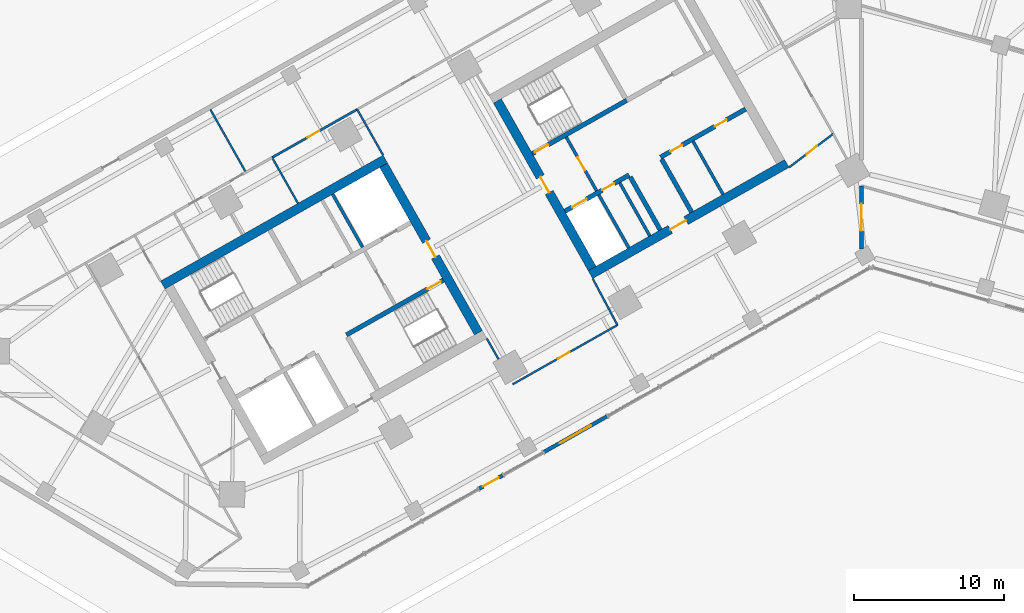
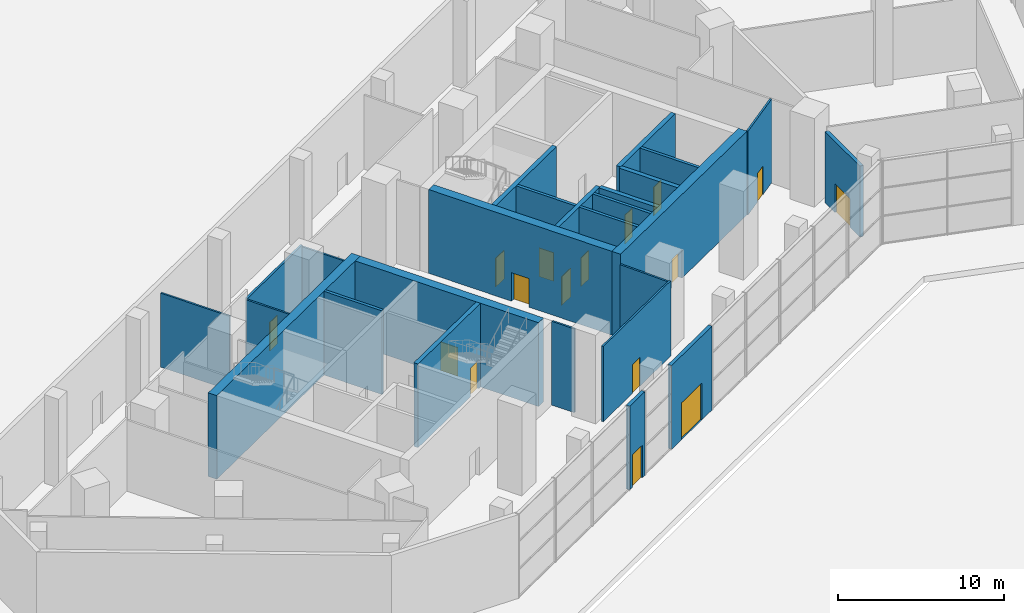
# One storey, part 13 of 22: 26 walls, 16 doors, 16 openings.
"""IFC4 building model written with IfcOpenShell, lengths in metres."""

from ifc_helpers import new_model, si_unit, direction, frame, frame_2d, origin, place, context, subcontext, project, spatial, rectangle, extrude, material, layer, layer_set, type_object, element, fill, save


model = new_model("IFC4")

# Units and contexts
model_context = context("Model", 3, precision=1e-05, world=origin(), true_north=direction((0.0, 1.0)))
body_context = subcontext(model_context, "Body", "Model", "MODEL_VIEW")
ifc_project = project(units=[si_unit("LENGTHUNIT", "METRE"), si_unit("AREAUNIT", "SQUARE_METRE"), si_unit("VOLUMEUNIT", "CUBIC_METRE"), si_unit("PLANEANGLEUNIT", "RADIAN"), si_unit("MASSUNIT", "GRAM", prefix="KILO")], contexts=[model_context])

# Site, building, storey
site_placement = place(None, origin())
site = spatial("IfcSite", under=ifc_project, at=site_placement, CompositionType="ELEMENT")
building_placement = place(site_placement, origin())
building = spatial("IfcBuilding", under=site, at=building_placement, Name="Binnacle Exchange Tower", CompositionType="ELEMENT")
storey_placement = place(building_placement, origin())
storey = spatial("IfcBuildingStorey", under=building, at=storey_placement, Name="L00", CompositionType="ELEMENT", Elevation=0.0)

# Wall
ifc_material_1 = material(Name="Gypsum partition fire rated")
ifc_layer_1 = layer(ifc_material_1, 0.199951171875)
ifc_layer_set_1 = layer_set([ifc_layer_1], Name="Core partition 200")
wall_type_1 = type_object("IfcWallType", Name="Core partition 200", PredefinedType="PARTITIONING", material=ifc_layer_set_1)
wall_1_placement = place(storey_placement, frame((-11.201904296875, 50.96240234375, 0.0), z_axis=(0.0, 0.0, 1.0), x_axis=(0.49241474071, -0.870360685654, 0.0)))
element("IfcWall", 1, at=wall_1_placement, inside=storey, type_object=wall_type_1, Name="Core wall CRWC19", PredefinedType="PARTITIONING", context=body_context, shape_type="SweptSolid", body=[
    extrude(rectangle(XDim=4.05029296875, YDim=0.199951171875, at=frame_2d((2.025146484375, 0.0))), origin(), (0.0, 0.0, 1.0), 6.14990234375),
])

# Wall, openings, doors
ifc_material_2 = material(Name="Concrete C70/85", Category="concrete")
ifc_layer_2 = layer(ifc_material_2, 0.300048828125)
ifc_layer_set_2 = layer_set([ifc_layer_2], Name="Core wall - front 300")
wall_type_2 = type_object("IfcWallType", Name="Core wall - front 300", PredefinedType="SOLIDWALL", material=ifc_layer_set_2)
wall_2_placement = place(storey_placement, frame((-19.718017578125, 46.31640625, 0.0), z_axis=(0.0, 0.0, 1.0), x_axis=(0.870353963862, 0.492426621528, 0.0)))
wall_2 = element("IfcWall", 2, at=wall_2_placement, inside=storey, type_object=wall_type_2, Name="Core wall CRWC2", PredefinedType="SOLIDWALL", context=body_context, shape_type="SweptSolid", body=[
    extrude(rectangle(XDim=4.89990234375, YDim=0.300048828125, at=frame_2d((2.449951171875, 0.0))), origin(), (0.0, 0.0, 1.0), 6.14990234375),
])
opening_1_placement = place(wall_2_placement, frame((0.550048828125, 0.0, 0.0)))
opening_1 = element("IfcOpeningElement", 3, at=opening_1_placement, cuts=wall_2, Name="Opening LD14", PredefinedType="OPENING", context=body_context, shape_type="SweptSolid", body=[
    extrude(rectangle(XDim=1.10009765625, YDim=2.10009765625, at=frame_2d((0.550048828125, 1.050048828125))), frame((0.0, 0.159912109375, 0.0), z_axis=(0.0, -1.0, 0.0), x_axis=(1.0, 0.0, 0.0)), (0.0, 0.0, 1.0), 0.320068359375),
])
opening_2_placement = place(wall_2_placement, frame((2.85009765625, 0.0, 0.0)))
opening_2 = element("IfcOpeningElement", 4, at=opening_2_placement, cuts=wall_2, Name="Opening DC14", PredefinedType="OPENING", context=body_context, shape_type="SweptSolid", body=[
    extrude(rectangle(XDim=0.89990234375, YDim=2.10009765625, at=frame_2d((0.449951171875, 1.050048828125))), frame((0.0, 0.159912109375, 0.0), z_axis=(0.0, -1.0, 0.0), x_axis=(1.0, 0.0, 0.0)), (0.0, 0.0, 1.0), 0.320068359375),
])
ifc_material_3 = material(Name="Steel door leaf", Category="steel")
door_type_1 = type_object("IfcDoorType", Name="Fire door - lift landing 1100", OperationType="NOTDEFINED", PredefinedType="DOOR", material=ifc_material_3)
door_1_placement = place(opening_1_placement, origin())
door_1 = element("IfcDoor", 5, at=door_1_placement, inside=storey, type_object=door_type_1, Name="Landing door LD14 L00", OperationType="DOUBLE_DOOR_SLIDING", OverallHeight=2.10009765625, OverallWidth=1.10009765625, PredefinedType="DOOR", context=body_context, shape_type="SweptSolid", body=[
    extrude(rectangle(XDim=1.10009765625, YDim=2.10009765625, at=frame_2d((0.550048828125, 1.050048828125))), frame((0.0, 0.02490234375, 0.0), z_axis=(0.0, -1.0, 0.0), x_axis=(1.0, 0.0, 0.0)), (0.0, 0.0, 1.0), 0.050048828125),
])
fill(opening_1, door_1)
door_type_2 = type_object("IfcDoorType", Name="Fire door 900", OperationType="NOTDEFINED", PredefinedType="DOOR", material=ifc_material_3)
door_2_placement = place(opening_2_placement, frame((0.89990234375, 0.0, 0.0), z_axis=(0.0, 0.0, 1.0), x_axis=(-1.0, 0.0, 0.0)))
door_2 = element("IfcDoor", 6, at=door_2_placement, inside=storey, type_object=door_type_2, Name="Core room door CLEANERS STORE", OperationType="SINGLE_SWING_LEFT", OverallHeight=2.10009765625, OverallWidth=0.89990234375, PredefinedType="DOOR", context=body_context, shape_type="SweptSolid", body=[
    extrude(rectangle(XDim=0.89990234375, YDim=2.10009765625, at=frame_2d((0.449951171875, 1.050048828125))), frame((0.0, 0.02490234375, 0.0), z_axis=(0.0, -1.0, 0.0), x_axis=(1.0, 0.0, 0.0)), (0.0, 0.0, 1.0), 0.050048828125),
])
fill(opening_2, door_2)

wall_3_placement = place(storey_placement, frame((-13.364501953125, 49.910888671875, 0.0), z_axis=(0.0, 0.0, 1.0), x_axis=(0.870340995471, 0.49244954219, 0.0)))
wall_3 = element("IfcWall", 7, at=wall_3_placement, inside=storey, type_object=wall_type_2, Name="Core wall CRWC3", PredefinedType="SOLIDWALL", context=body_context, shape_type="SweptSolid", body=[
    extrude(rectangle(XDim=6.5, YDim=0.300048828125, at=frame_2d((3.25, 0.0))), origin(), (0.0, 0.0, 1.0), 6.14990234375),
])
opening_3_placement = place(wall_3_placement, frame((0.75, 0.0, 0.0)))
opening_3 = element("IfcOpeningElement", 8, at=opening_3_placement, cuts=wall_3, Name="Opening DC18", PredefinedType="OPENING", context=body_context, shape_type="SweptSolid", body=[
    extrude(rectangle(XDim=0.89990234375, YDim=2.10009765625, at=frame_2d((0.449951171875, 1.050048828125))), frame((0.0, 0.159912109375, 0.0), z_axis=(0.0, -1.0, 0.0), x_axis=(1.0, 0.0, 0.0)), (0.0, 0.0, 1.0), 0.320068359375),
])
opening_4_placement = place(wall_3_placement, frame((4.14990234375, 0.0, 0.0)))
opening_4 = element("IfcOpeningElement", 9, at=opening_4_placement, cuts=wall_3, Name="Opening DC19", PredefinedType="OPENING", context=body_context, shape_type="SweptSolid", body=[
    extrude(rectangle(XDim=0.89990234375, YDim=2.10009765625, at=frame_2d((0.449951171875, 1.050048828125))), frame((0.0, 0.159912109375, 0.0), z_axis=(0.0, -1.0, 0.0), x_axis=(1.0, 0.0, 0.0)), (0.0, 0.0, 1.0), 0.320068359375),
])
door_3_placement = place(opening_3_placement, frame((0.89990234375, 0.0, 0.0), z_axis=(0.0, 0.0, 1.0), x_axis=(-1.0, 0.0, 0.0)))
door_3 = element("IfcDoor", 10, at=door_3_placement, inside=storey, type_object=door_type_2, Name="Core room door IT STORE", OperationType="SINGLE_SWING_RIGHT", OverallHeight=2.10009765625, OverallWidth=0.89990234375, PredefinedType="DOOR", context=body_context, shape_type="SweptSolid", body=[
    extrude(rectangle(XDim=0.89990234375, YDim=2.10009765625, at=frame_2d((0.449951171875, 1.050048828125))), frame((0.0, 0.02490234375, 0.0), z_axis=(0.0, -1.0, 0.0), x_axis=(1.0, 0.0, 0.0)), (0.0, 0.0, 1.0), 0.050048828125),
])
fill(opening_3, door_3)
door_4_placement = place(opening_4_placement, frame((0.89990234375, 0.0, 0.0), z_axis=(0.0, 0.0, 1.0), x_axis=(-1.0, 0.0, 0.0)))
door_4 = element("IfcDoor", 11, at=door_4_placement, inside=storey, type_object=door_type_2, Name="Core room door TELECOM RISER ROOM", OperationType="SINGLE_SWING_LEFT", OverallHeight=2.10009765625, OverallWidth=0.89990234375, PredefinedType="DOOR", context=body_context, shape_type="SweptSolid", body=[
    extrude(rectangle(XDim=0.89990234375, YDim=2.10009765625, at=frame_2d((0.449951171875, 1.050048828125))), frame((0.0, 0.02490234375, 0.0), z_axis=(0.0, -1.0, 0.0), x_axis=(1.0, 0.0, 0.0)), (0.0, 0.0, 1.0), 0.050048828125),
])
fill(opening_4, door_4)

# Walls
for number, where, z_axis, x_axis, name in (
    (12, (-15.37939453125, 48.5986328125, 0.0), (0.0, 0.0, 1.0), (0.492394910396, -0.870371904542, 0.0), "Core wall CRWC13"),
    (13, (-13.29052734375, 49.780517578125, 0.0), (0.0, 0.0, 1.0), (0.492394910396, -0.870371904542, 0.0), "Core wall CRWC15"),
):
    element("IfcWall", number, at=place(storey_placement, frame(where, z_axis=z_axis, x_axis=x_axis)), inside=storey, type_object=wall_type_2, Name=name, PredefinedType="SOLIDWALL", context=body_context, shape_type="SweptSolid", body=[
        extrude(rectangle(XDim=4.0498046875, YDim=0.300048828125, at=frame_2d((2.02490234375, 0.0))), origin(), (0.0, 0.0, 1.0), 6.14990234375),
    ])
ifc_layer_3 = layer(ifc_material_2, 0.60009765625)
ifc_layer_set_3 = layer_set([ifc_layer_3], Name="Core wall - outer 600")
wall_type_3 = type_object("IfcWallType", Name="Core wall - outer 600", PredefinedType="SOLIDWALL", material=ifc_layer_set_3)
wall_4_placement = place(storey_placement, frame((-46.460693359375, 41.41162109375, 0.0), z_axis=(0.0, 0.0, 1.0), x_axis=(0.870350116061, 0.492433422375, 0.0)))
element("IfcWall", 14, at=wall_4_placement, inside=storey, type_object=wall_type_3, Name="Core wall CRWA6", PredefinedType="SOLIDWALL", context=body_context, shape_type="SweptSolid", body=[
    extrude(rectangle(XDim=17.0, YDim=0.60009765625, at=frame_2d((8.5, 0.0))), origin(), (0.0, 0.0, 1.0), 6.14990234375),
])

# Wall, opening, door
wall_5_placement = place(storey_placement, frame((-31.7783203125, 49.3740234375, 0.0), z_axis=(0.0, 0.0, 1.0), x_axis=(0.492433046652, -0.870350328641, 0.0)))
wall_5 = element("IfcWall", 15, at=wall_5_placement, inside=storey, type_object=wall_type_3, Name="Core wall CRWA22", PredefinedType="SOLIDWALL", context=body_context, shape_type="SweptSolid", body=[
    extrude(rectangle(XDim=12.800048828125, YDim=0.60009765625, at=frame_2d((6.39990234375, 0.0))), origin(), (0.0, 0.0, 1.0), 6.14990234375),
])
opening_5_placement = place(wall_5_placement, frame((5.800048828125, 0.0, 0.0)))
opening_5 = element("IfcOpeningElement", 16, at=opening_5_placement, cuts=wall_5, Name="Opening DA6", PredefinedType="OPENING", context=body_context, shape_type="SweptSolid", body=[
    extrude(rectangle(XDim=1.199951171875, YDim=2.10009765625, at=frame_2d((0.60009765625, 1.050048828125))), frame((0.0, 0.31005859375, 0.0), z_axis=(0.0, -1.0, 0.0), x_axis=(1.0, 0.0, 0.0)), (0.0, 0.0, 1.0), 0.6201171875),
])
door_type_3 = type_object("IfcDoorType", Name="Fire door 1200", OperationType="NOTDEFINED", PredefinedType="DOOR", material=ifc_material_3)
door_5_placement = place(opening_5_placement, origin())
door_5 = element("IfcDoor", 17, at=door_5_placement, inside=storey, type_object=door_type_3, Name="Vestibule exit door VEST-E", OperationType="SINGLE_SWING_RIGHT", OverallHeight=2.10009765625, OverallWidth=1.199951171875, PredefinedType="DOOR", context=body_context, shape_type="SweptSolid", body=[
    extrude(rectangle(XDim=1.199951171875, YDim=2.10009765625, at=frame_2d((0.60009765625, 1.050048828125))), frame((0.0, 0.02490234375, 0.0), z_axis=(0.0, -1.0, 0.0), x_axis=(1.0, 0.0, 0.0)), (0.0, 0.0, 1.0), 0.050048828125),
])
fill(opening_5, door_5)

wall_6_placement = place(storey_placement, frame((-18.0244140625, 42.104248046875, 0.0), z_axis=(0.0, 0.0, 1.0), x_axis=(0.870360574057, 0.492414937962, 0.0)))
wall_6 = element("IfcWall", 18, at=wall_6_placement, inside=storey, type_object=wall_type_3, Name="Core wall CRWC1", PredefinedType="SOLIDWALL", context=body_context, shape_type="SweptSolid", body=[
    extrude(rectangle(XDim=15.0, YDim=0.60009765625, at=frame_2d((7.5, 0.0))), origin(), (0.0, 0.0, 1.0), 6.14990234375),
])
opening_6_placement = place(wall_6_placement, frame((6.10009765625, 0.0, 0.0)))
opening_6 = element("IfcOpeningElement", 19, at=opening_6_placement, cuts=wall_6, Name="Opening DC7", PredefinedType="OPENING", context=body_context, shape_type="SweptSolid", body=[
    extrude(rectangle(XDim=1.199951171875, YDim=2.10009765625, at=frame_2d((0.60009765625, 1.050048828125))), frame((0.0, 0.31005859375, 0.0), z_axis=(0.0, -1.0, 0.0), x_axis=(1.0, 0.0, 0.0)), (0.0, 0.0, 1.0), 0.6201171875),
])
door_6_placement = place(opening_6_placement, frame((1.199951171875, 0.0, 0.0), z_axis=(0.0, 0.0, 1.0), x_axis=(-1.0, 0.0, 0.0)))
door_6 = element("IfcDoor", 20, at=door_6_placement, inside=storey, type_object=door_type_3, Name="Lift lobby entrance door core C", OperationType="SINGLE_SWING_RIGHT", OverallHeight=2.10009765625, OverallWidth=1.199951171875, PredefinedType="DOOR", context=body_context, shape_type="SweptSolid", body=[
    extrude(rectangle(XDim=1.199951171875, YDim=2.10009765625, at=frame_2d((0.60009765625, 1.050048828125))), frame((0.0, 0.02490234375, 0.0), z_axis=(0.0, -1.0, 0.0), x_axis=(1.0, 0.0, 0.0)), (0.0, 0.0, 1.0), 0.050048828125),
])
fill(opening_6, door_6)

wall_7_placement = place(storey_placement, frame((-24.214111328125, 53.653564453125, 0.0), z_axis=(0.0, 0.0, 1.0), x_axis=(0.492441221355, -0.870345703448, 0.0)))
wall_7 = element("IfcWall", 21, at=wall_7_placement, inside=storey, type_object=wall_type_3, Name="Core wall CRWC7", PredefinedType="SOLIDWALL", context=body_context, shape_type="SweptSolid", body=[
    extrude(rectangle(XDim=12.800048828125, YDim=0.60009765625, at=frame_2d((6.39990234375, 0.0))), origin(), (0.0, 0.0, 1.0), 6.14990234375),
])
opening_7_placement = place(wall_7_placement, frame((5.800048828125, 0.0, 0.0)))
opening_7 = element("IfcOpeningElement", 22, at=opening_7_placement, cuts=wall_7, Name="Opening DC5", PredefinedType="OPENING", context=body_context, shape_type="SweptSolid", body=[
    extrude(rectangle(XDim=1.199951171875, YDim=2.10009765625, at=frame_2d((0.60009765625, 1.050048828125))), frame((0.0, 0.31005859375, 0.0), z_axis=(0.0, -1.0, 0.0), x_axis=(1.0, 0.0, 0.0)), (0.0, 0.0, 1.0), 0.6201171875),
])
door_7_placement = place(opening_7_placement, frame((1.199951171875, 0.0, 0.0), z_axis=(0.0, 0.0, 1.0), x_axis=(-1.0, 0.0, 0.0)))
door_7 = element("IfcDoor", 23, at=door_7_placement, inside=storey, type_object=door_type_3, Name="Vestibule exit door VEST-W", OperationType="SINGLE_SWING_LEFT", OverallHeight=2.10009765625, OverallWidth=1.199951171875, PredefinedType="DOOR", context=body_context, shape_type="SweptSolid", body=[
    extrude(rectangle(XDim=1.199951171875, YDim=2.10009765625, at=frame_2d((0.60009765625, 1.050048828125))), frame((0.0, 0.02490234375, 0.0), z_axis=(0.0, -1.0, 0.0), x_axis=(1.0, 0.0, 0.0)), (0.0, 0.0, 1.0), 0.050048828125),
])
fill(opening_7, door_7)

ifc_layer_4 = layer(ifc_material_2, 0.300048828125)
ifc_layer_set_4 = layer_set([ifc_layer_4], Name="Core wall - stair 300")
wall_type_4 = type_object("IfcWallType", Name="Core wall - stair 300", PredefinedType="SOLIDWALL", material=ifc_layer_set_4)
wall_8_placement = place(storey_placement, frame((-34.2451171875, 38.097412109375, 0.0), z_axis=(0.0, 0.0, 1.0), x_axis=(0.870364910201, 0.492407273597, 0.0)))
wall_8 = element("IfcWall", 24, at=wall_8_placement, inside=storey, type_object=wall_type_4, Name="Core wall CRWA3", PredefinedType="SOLIDWALL", context=body_context, shape_type="SweptSolid", body=[
    extrude(rectangle(XDim=7.39990234375, YDim=0.300048828125, at=frame_2d((3.699951171875, 0.0))), origin(), (0.0, 0.0, 1.0), 6.14990234375),
])
opening_8_placement = place(wall_8_placement, frame((6.199951171875, 0.0, 0.0)))
opening_8 = element("IfcOpeningElement", 25, at=opening_8_placement, cuts=wall_8, Name="Opening DA2", PredefinedType="OPENING", context=body_context, shape_type="SweptSolid", body=[
    extrude(rectangle(XDim=1.0, YDim=2.10009765625, at=frame_2d((0.5, 1.050048828125))), frame((0.0, 0.159912109375, 0.0), z_axis=(0.0, -1.0, 0.0), x_axis=(1.0, 0.0, 0.0)), (0.0, 0.0, 1.0), 0.320068359375),
])
door_type_4 = type_object("IfcDoorType", Name="Fire door 1000", OperationType="NOTDEFINED", PredefinedType="DOOR", material=ifc_material_3)
door_8_placement = place(opening_8_placement, frame((1.0, 0.0, 0.0), z_axis=(0.0, 0.0, 1.0), x_axis=(-1.0, 0.0, 0.0)))
door_8 = element("IfcDoor", 26, at=door_8_placement, inside=storey, type_object=door_type_4, Name="Stair door ST-A2", OperationType="SINGLE_SWING_LEFT", OverallHeight=2.10009765625, OverallWidth=1.0, PredefinedType="DOOR", context=body_context, shape_type="SweptSolid", body=[
    extrude(rectangle(XDim=1.0, YDim=2.10009765625, at=frame_2d((0.5, 1.050048828125))), frame((0.0, 0.02490234375, 0.0), z_axis=(0.0, -1.0, 0.0), x_axis=(1.0, 0.0, 0.0)), (0.0, 0.0, 1.0), 0.050048828125),
])
fill(opening_8, door_8)

wall_9_placement = place(storey_placement, frame((-21.884765625, 50.14599609375, 0.0), z_axis=(0.0, 0.0, 1.0), x_axis=(0.870359411463, 0.492416992881, 0.0)))
wall_9 = element("IfcWall", 27, at=wall_9_placement, inside=storey, type_object=wall_type_4, Name="Core wall CRWC4", PredefinedType="SOLIDWALL", context=body_context, shape_type="SweptSolid", body=[
    extrude(rectangle(XDim=7.199951171875, YDim=0.300048828125, at=frame_2d((3.60009765625, 0.0))), origin(), (0.0, 0.0, 1.0), 6.14990234375),
])
opening_9_placement = place(wall_9_placement, frame((0.199951171875, 0.0, 0.0)))
opening_9 = element("IfcOpeningElement", 28, at=opening_9_placement, cuts=wall_9, Name="Opening DC1", PredefinedType="OPENING", context=body_context, shape_type="SweptSolid", body=[
    extrude(rectangle(XDim=1.0, YDim=2.10009765625, at=frame_2d((0.5, 1.050048828125))), frame((0.0, 0.159912109375, 0.0), z_axis=(0.0, -1.0, 0.0), x_axis=(1.0, 0.0, 0.0)), (0.0, 0.0, 1.0), 0.320068359375),
])
door_9_placement = place(opening_9_placement, origin())
door_9 = element("IfcDoor", 29, at=door_9_placement, inside=storey, type_object=door_type_4, Name="Stair door ST-C1", OperationType="SINGLE_SWING_LEFT", OverallHeight=2.10009765625, OverallWidth=1.0, PredefinedType="DOOR", context=body_context, shape_type="SweptSolid", body=[
    extrude(rectangle(XDim=1.0, YDim=2.10009765625, at=frame_2d((0.5, 1.050048828125))), frame((0.0, 0.02490234375, 0.0), z_axis=(0.0, -1.0, 0.0), x_axis=(1.0, 0.0, 0.0)), (0.0, 0.0, 1.0), 0.050048828125),
])
fill(opening_9, door_9)

ifc_material_4 = material(Name="Bronze aluminium cladding", Category="aluminium")
ifc_layer_5 = layer(ifc_material_4, 0.25)
ifc_layer_set_5 = layer_set([ifc_layer_5], Name="External wall - entrance portal 250")
wall_type_5 = type_object("IfcWallType", Name="External wall - entrance portal 250", PredefinedType="STANDARD", material=ifc_layer_set_5)
wall_10_placement = place(storey_placement, frame((-23.857666015625, 28.757080078125, 0.0), z_axis=(0.0, 0.0, 1.0), x_axis=(-0.870388475779, -0.492365617434, 0.0)))
wall_10 = element("IfcWall", 30, at=wall_10_placement, inside=storey, type_object=wall_type_5, Name="External wall EW-P06P1 portal", PredefinedType="STANDARD", context=body_context, shape_type="SweptSolid", body=[
    extrude(rectangle(XDim=1.800048828125, YDim=0.25, at=frame_2d((0.89990234375, 0.0))), origin(), (0.0, 0.0, 1.0), 6.14990234375),
])
opening_10_placement = place(wall_10_placement, frame((0.300048828125, 0.0, 0.0)))
opening_10 = element("IfcOpeningElement", 31, at=opening_10_placement, cuts=wall_10, Name="Opening D-FS01-05", PredefinedType="OPENING", context=body_context, shape_type="SweptSolid", body=[
    extrude(rectangle(XDim=1.199951171875, YDim=2.39990234375, at=frame_2d((0.60009765625, 1.199951171875))), frame((0.0, 0.135009765625, 0.0), z_axis=(0.0, -1.0, 0.0), x_axis=(1.0, 0.0, 0.0)), (0.0, 0.0, 1.0), 0.27001953125),
])
ifc_material_5 = material(Name="Bronze anodised aluminium frame", Category="aluminium")
door_type_5 = type_object("IfcDoorType", Name="DS DOOR 1200x2400", OperationType="SINGLE_SWING_LEFT", PredefinedType="DOOR", material=ifc_material_5)
door_10_placement = place(opening_10_placement, origin())
door_10 = element("IfcDoor", 32, at=door_10_placement, inside=storey, type_object=door_type_5, Name="Door D-FS01-05 L00", OperationType="SINGLE_SWING_RIGHT", OverallHeight=2.39990234375, OverallWidth=1.199951171875, PredefinedType="DOOR", context=body_context, shape_type="SweptSolid", body=[
    extrude(rectangle(XDim=1.199951171875, YDim=2.39990234375, at=frame_2d((0.60009765625, 1.199951171875))), frame((0.0, 0.02490234375, 0.0), z_axis=(0.0, -1.0, 0.0), x_axis=(1.0, 0.0, 0.0)), (0.0, 0.0, 1.0), 0.050048828125),
])
fill(opening_10, door_10)

wall_11_placement = place(storey_placement, frame((-16.934814453125, 32.674072265625, 0.0), z_axis=(0.0, 0.0, 1.0), x_axis=(-0.870332544133, -0.49246447854, 0.0)))
wall_11 = element("IfcWall", 33, at=wall_11_placement, inside=storey, type_object=wall_type_5, Name="External wall EW-P06P2 portal", PredefinedType="STANDARD", context=body_context, shape_type="SweptSolid", body=[
    extrude(rectangle(XDim=4.7998046875, YDim=0.25, at=frame_2d((2.39990234375, 0.0))), origin(), (0.0, 0.0, 1.0), 6.14990234375),
])
opening_11_placement = place(wall_11_placement, frame((1.199951171875, 0.0, 0.0)))
opening_11 = element("IfcOpeningElement", 34, at=opening_11_placement, cuts=wall_11, Name="Opening D-FS01-06", PredefinedType="OPENING", context=body_context, shape_type="SweptSolid", body=[
    extrude(rectangle(XDim=2.39990234375, YDim=2.699951171875, at=frame_2d((1.199951171875, 1.35009765625))), frame((0.0, 0.135009765625, 0.0), z_axis=(0.0, -1.0, 0.0), x_axis=(1.0, 0.0, 0.0)), (0.0, 0.0, 1.0), 0.27001953125),
])
door_type_6 = type_object("IfcDoorType", Name="DE DOOR 2400x2700", OperationType="DOUBLE_DOOR_SINGLE_SWING", PredefinedType="DOOR", material=ifc_material_5)
door_11_placement = place(opening_11_placement, origin())
door_11 = element("IfcDoor", 35, at=door_11_placement, inside=storey, type_object=door_type_6, Name="Door D-FS01-06 L00", OperationType="DOUBLE_DOOR_SINGLE_SWING", OverallHeight=2.699951171875, OverallWidth=2.39990234375, PredefinedType="DOOR", context=body_context, shape_type="SweptSolid", body=[
    extrude(rectangle(XDim=2.39990234375, YDim=2.699951171875, at=frame_2d((1.199951171875, 1.35009765625))), frame((0.0, 0.02490234375, 0.0), z_axis=(0.0, -1.0, 0.0), x_axis=(1.0, 0.0, 0.0)), (0.0, 0.0, 1.0), 0.050048828125),
])
fill(opening_11, door_11)

ifc_material_6 = material(Name="Concrete fire wall C30/37", Category="concrete")
ifc_layer_6 = layer(ifc_material_6, 0.25)
ifc_layer_set_6 = layer_set([ifc_layer_6], Name="Fire wall - compartment 250")
wall_type_6 = type_object("IfcWallType", Name="Fire wall - compartment 250", PredefinedType="PARTITIONING", material=ifc_layer_set_6)
wall_12_placement = place(storey_placement, frame((0.0, 43.805908203125, 0.0), z_axis=(0.0, 0.0, 1.0), x_axis=(0.0, 1.0, 0.0)))
wall_12 = element("IfcWall", 36, at=wall_12_placement, inside=storey, type_object=wall_type_6, Name="Fire Wall W39", PredefinedType="PARTITIONING", context=body_context, shape_type="SweptSolid", body=[
    extrude(rectangle(XDim=4.194091796875, YDim=0.25, at=frame_2d((2.09716796875, 0.0))), origin(), (0.0, 0.0, 1.0), 5.2119140625),
])
opening_12_placement = place(wall_12_placement, frame((1.199951171875, 0.0, 0.0)))
opening_12 = element("IfcOpeningElement", 37, at=opening_12_placement, cuts=wall_12, Name="Opening DL00-32", PredefinedType="OPENING", context=body_context, shape_type="SweptSolid", body=[
    extrude(rectangle(XDim=1.800048828125, YDim=2.10009765625, at=frame_2d((0.89990234375, 1.050048828125))), frame((0.0, 0.135009765625, 0.0), z_axis=(0.0, -1.0, 0.0), x_axis=(1.0, 0.0, 0.0)), (0.0, 0.0, 1.0), 0.27001953125),
])
door_type_7 = type_object("IfcDoorType", Name="Fire door 1800", OperationType="NOTDEFINED", PredefinedType="DOOR", material=ifc_material_3)
door_12_placement = place(opening_12_placement, origin())
door_12 = element("IfcDoor", 38, at=door_12_placement, inside=storey, type_object=door_type_7, Name="Door DL00-32", OperationType="DOUBLE_DOOR_SINGLE_SWING", OverallHeight=2.10009765625, OverallWidth=1.800048828125, PredefinedType="DOOR", context=body_context, shape_type="SweptSolid", body=[
    extrude(rectangle(XDim=1.800048828125, YDim=2.10009765625, at=frame_2d((0.89990234375, 1.050048828125))), frame((0.0, 0.02490234375, 0.0), z_axis=(0.0, -1.0, 0.0), x_axis=(1.0, 0.0, 0.0)), (0.0, 0.0, 1.0), 0.050048828125),
])
fill(opening_12, door_12)

ifc_material_7 = material(Name="Masonry block wall", Category="masonry")
ifc_layer_7 = layer(ifc_material_7, 0.199951171875)
ifc_layer_set_7 = layer_set([ifc_layer_7], Name="Fire wall - vestibule 200")
wall_type_7 = type_object("IfcWallType", Name="Fire wall - vestibule 200", PredefinedType="PARTITIONING", material=ifc_layer_set_7)
wall_13_placement = place(storey_placement, frame((-19.635009765625, 51.246337890625, 0.0), z_axis=(0.0, 0.0, 1.0), x_axis=(0.492408451753, -0.87036424366, 0.0)))
wall_13 = element("IfcWall", 39, at=wall_13_placement, inside=storey, type_object=wall_type_7, Name="Core wall CRWC10", PredefinedType="PARTITIONING", context=body_context, shape_type="SweptSolid", body=[
    extrude(rectangle(XDim=4.099853515625, YDim=0.199951171875, at=frame_2d((2.0498046875, 0.0))), origin(), (0.0, 0.0, 1.0), 6.14990234375),
])
opening_13_placement = place(wall_13_placement, frame((1.550048828125, 0.0, 0.0)))
opening_13 = element("IfcOpeningElement", 40, at=opening_13_placement, cuts=wall_13, Name="Opening DC3", PredefinedType="OPENING", context=body_context, shape_type="SweptSolid", body=[
    extrude(rectangle(XDim=1.0, YDim=2.10009765625, at=frame_2d((0.5, 1.050048828125))), frame((0.0, 0.10986328125, 0.0), z_axis=(0.0, -1.0, 0.0), x_axis=(1.0, 0.0, 0.0)), (0.0, 0.0, 1.0), 0.219970703125),
])
door_13_placement = place(opening_13_placement, frame((1.0, 0.0, 0.0), z_axis=(0.0, 0.0, 1.0), x_axis=(-1.0, 0.0, 0.0)))
door_13 = element("IfcDoor", 41, at=door_13_placement, inside=storey, type_object=door_type_4, Name="Vestibule door VEST-W", OperationType="SINGLE_SWING_RIGHT", OverallHeight=2.10009765625, OverallWidth=1.0, PredefinedType="DOOR", context=body_context, shape_type="SweptSolid", body=[
    extrude(rectangle(XDim=1.0, YDim=2.10009765625, at=frame_2d((0.5, 1.050048828125))), frame((0.0, 0.02490234375, 0.0), z_axis=(0.0, -1.0, 0.0), x_axis=(1.0, 0.0, 0.0)), (0.0, 0.0, 1.0), 0.050048828125),
])
fill(opening_13, door_13)

ifc_layer_8 = layer(ifc_material_1, 0.14990234375)
ifc_layer_set_8 = layer_set([ifc_layer_8], Name="Fire-rated partition 150")
wall_type_8 = type_object("IfcWallType", Name="Fire-rated partition 150", PredefinedType="PARTITIONING", material=ifc_layer_set_8)
wall_14_placement = place(storey_placement, frame((-39.193115234375, 49.888916015625, 0.0), z_axis=(0.0, 0.0, 1.0), x_axis=(0.870324897112, 0.492477992876, 0.0)))
wall_14 = element("IfcWall", 42, at=wall_14_placement, inside=storey, type_object=wall_type_8, Name="Partition W19", PredefinedType="PARTITIONING", context=body_context, shape_type="SweptSolid", body=[
    extrude(rectangle(XDim=6.500244140625, YDim=0.14990234375, at=frame_2d((3.25, 0.0))), origin(), (0.0, 0.0, 1.0), 5.530029296875),
])
opening_14_placement = place(wall_14_placement, frame((2.699951171875, 0.0, 0.0)))
opening_14 = element("IfcOpeningElement", 43, at=opening_14_placement, cuts=wall_14, Name="Opening DL00-15", PredefinedType="OPENING", context=body_context, shape_type="SweptSolid", body=[
    extrude(rectangle(XDim=0.89990234375, YDim=2.10009765625, at=frame_2d((0.449951171875, 1.050048828125))), frame((0.0, 0.0849609375, 0.0), z_axis=(0.0, -1.0, 0.0), x_axis=(1.0, 0.0, 0.0)), (0.0, 0.0, 1.0), 0.169921875),
])
door_14_placement = place(opening_14_placement, frame((0.89990234375, 0.0, 0.0), z_axis=(0.0, 0.0, 1.0), x_axis=(-1.0, 0.0, 0.0)))
door_14 = element("IfcDoor", 44, at=door_14_placement, inside=storey, type_object=door_type_2, Name="Door DL00-15", OperationType="SINGLE_SWING_RIGHT", OverallHeight=2.10009765625, OverallWidth=0.89990234375, PredefinedType="DOOR", context=body_context, shape_type="SweptSolid", body=[
    extrude(rectangle(XDim=0.89990234375, YDim=2.10009765625, at=frame_2d((0.449951171875, 1.050048828125))), frame((0.0, 0.02490234375, 0.0), z_axis=(0.0, -1.0, 0.0), x_axis=(1.0, 0.0, 0.0)), (0.0, 0.0, 1.0), 0.050048828125),
])
fill(opening_14, door_14)

# Walls
ifc_material_8 = material(Name="Gypsum partition")
ifc_layer_9 = layer(ifc_material_8, 0.125)
ifc_layer_set_9 = layer_set([ifc_layer_9], Name="Partition 125")
wall_type_9 = type_object("IfcWallType", Name="Partition 125", PredefinedType="PARTITIONING", material=ifc_layer_set_9)
wall_15_placement = place(storey_placement, frame((-43.294921875, 53.076904296875, 0.0), z_axis=(0.0, 0.0, 1.0), x_axis=(0.492503605136, -0.87031040378, 0.0)))
element("IfcWall", 45, at=wall_15_placement, inside=storey, type_object=wall_type_9, Name="Partition W13", PredefinedType="PARTITIONING", context=body_context, shape_type="SweptSolid", body=[
    extrude(rectangle(XDim=4.79345703125, YDim=0.125, at=frame_2d((2.396728515625, 0.0))), origin(), (0.0, 0.0, 1.0), 5.429931640625),
])
wall_16_placement = place(storey_placement, frame((-39.193115234375, 49.888916015625, 0.0), z_axis=(0.0, 0.0, 1.0), x_axis=(0.492392845909, -0.87037307248, 0.0)))
element("IfcWall", 46, at=wall_16_placement, inside=storey, type_object=wall_type_9, Name="Partition W18", PredefinedType="PARTITIONING", context=body_context, shape_type="SweptSolid", body=[
    extrude(rectangle(XDim=3.49951171875, YDim=0.125, at=frame_2d((1.749755859375, 0.0))), origin(), (0.0, 0.0, 1.0), 5.429931640625),
])
wall_17_placement = place(storey_placement, frame((-33.535888671875, 53.090087890625, 0.0), z_axis=(0.0, 0.0, 1.0), x_axis=(0.492521469645, -0.870300294116, 0.0)))
element("IfcWall", 47, at=wall_17_placement, inside=storey, type_object=wall_type_9, Name="Partition W20", PredefinedType="PARTITIONING", context=body_context, shape_type="SweptSolid", body=[
    extrude(rectangle(XDim=3.5, YDim=0.125, at=frame_2d((1.75, 0.0))), origin(), (0.0, 0.0, 1.0), 5.429931640625),
])
wall_18_placement = place(storey_placement, frame((-24.9189453125, 37.85888671875, 0.0), z_axis=(0.0, 0.0, 1.0), x_axis=(0.492366981934, -0.870387703901, 0.0)))
element("IfcWall", 48, at=wall_18_placement, inside=storey, type_object=wall_type_9, Name="Partition W24", PredefinedType="PARTITIONING", context=body_context, shape_type="SweptSolid", body=[
    extrude(rectangle(XDim=1.584228515625, YDim=0.125, at=frame_2d((0.7919921875, 0.0))), origin(), (0.0, 0.0, 1.0), 6.14990234375),
])

# Wall, opening, door
wall_19_placement = place(storey_placement, frame((-23.195068359375, 34.81298828125, 0.0), z_axis=(0.0, 0.0, 1.0), x_axis=(0.870387155114, 0.492367952057, 0.0)))
wall_19 = element("IfcWall", 49, at=wall_19_placement, inside=storey, type_object=wall_type_9, Name="Partition W25", PredefinedType="PARTITIONING", context=body_context, shape_type="SweptSolid", body=[
    extrude(rectangle(XDim=8.0, YDim=0.125, at=frame_2d((4.0, 0.0))), origin(), (0.0, 0.0, 1.0), 5.530029296875),
])
opening_15_placement = place(wall_19_placement, frame((3.449951171875, 0.0, 0.0)))
opening_15 = element("IfcOpeningElement", 50, at=opening_15_placement, cuts=wall_19, Name="Opening DL00-02", PredefinedType="OPENING", context=body_context, shape_type="SweptSolid", body=[
    extrude(rectangle(XDim=0.89990234375, YDim=2.10009765625, at=frame_2d((0.449951171875, 1.050048828125))), frame((0.0, 0.072509765625, 0.0), z_axis=(0.0, -1.0, 0.0), x_axis=(1.0, 0.0, 0.0)), (0.0, 0.0, 1.0), 0.14501953125),
])
ifc_material_9 = material(Name="Timber door leaf", Category="wood")
door_type_8 = type_object("IfcDoorType", Name="Door 900", OperationType="NOTDEFINED", PredefinedType="DOOR", material=ifc_material_9)
door_15_placement = place(opening_15_placement, origin())
door_15 = element("IfcDoor", 51, at=door_15_placement, inside=storey, type_object=door_type_8, Name="Door DL00-02", OperationType="SINGLE_SWING_LEFT", OverallHeight=2.10009765625, OverallWidth=0.89990234375, PredefinedType="DOOR", context=body_context, shape_type="SweptSolid", body=[
    extrude(rectangle(XDim=0.89990234375, YDim=2.10009765625, at=frame_2d((0.449951171875, 1.050048828125))), frame((0.0, 0.02490234375, 0.0), z_axis=(0.0, -1.0, 0.0), x_axis=(1.0, 0.0, 0.0)), (0.0, 0.0, 1.0), 0.050048828125),
])
fill(opening_15, door_15)

# Wall
wall_20_placement = place(storey_placement, frame((-17.876953125, 41.843017578125, 0.0), z_axis=(0.0, 0.0, 1.0), x_axis=(0.469799130562, -0.882773344026, 0.0)))
element("IfcWall", 52, at=wall_20_placement, inside=storey, type_object=wall_type_9, Name="Partition W28", PredefinedType="PARTITIONING", context=body_context, shape_type="SweptSolid", body=[
    extrude(rectangle(XDim=3.50146484375, YDim=0.125, at=frame_2d((1.750732421875, 0.0))), origin(), (0.0, 0.0, 1.0), 5.429931640625),
])

# Wall, opening, door
wall_21_placement = place(storey_placement, frame((-4.821044921875, 49.22998046875, 0.0), z_axis=(0.0, 0.0, 1.0), x_axis=(0.795615322848, 0.605802160816, 0.0)))
wall_21 = element("IfcWall", 53, at=wall_21_placement, inside=storey, type_object=wall_type_9, Name="Partition W37", PredefinedType="PARTITIONING", context=body_context, shape_type="SweptSolid", body=[
    extrude(rectangle(XDim=3.692626953125, YDim=0.125, at=frame_2d((1.84619140625, 0.0))), origin(), (0.0, 0.0, 1.0), 6.14990234375),
])
opening_16_placement = place(wall_21_placement, frame((1.449951171875, 0.0, 0.0)))
opening_16 = element("IfcOpeningElement", 54, at=opening_16_placement, cuts=wall_21, Name="Opening DL00-03", PredefinedType="OPENING", context=body_context, shape_type="SweptSolid", body=[
    extrude(rectangle(XDim=0.89990234375, YDim=2.10009765625, at=frame_2d((0.449951171875, 1.050048828125))), frame((0.0, 0.072509765625, 0.0), z_axis=(0.0, -1.0, 0.0), x_axis=(1.0, 0.0, 0.0)), (0.0, 0.0, 1.0), 0.14501953125),
])
door_16_placement = place(opening_16_placement, origin())
door_16 = element("IfcDoor", 55, at=door_16_placement, inside=storey, type_object=door_type_8, Name="Door DL00-03", OperationType="SINGLE_SWING_RIGHT", OverallHeight=2.10009765625, OverallWidth=0.89990234375, PredefinedType="DOOR", context=body_context, shape_type="SweptSolid", body=[
    extrude(rectangle(XDim=0.89990234375, YDim=2.10009765625, at=frame_2d((0.449951171875, 1.050048828125))), frame((0.0, 0.02490234375, 0.0), z_axis=(0.0, -1.0, 0.0), x_axis=(1.0, 0.0, 0.0)), (0.0, 0.0, 1.0), 0.050048828125),
])
fill(opening_16, door_16)

# Walls
ifc_layer_10 = layer(ifc_material_7, 0.199951171875)
ifc_layer_set_10 = layer_set([ifc_layer_10], Name="Riser wall 200")
wall_type_10 = type_object("IfcWallType", Name="Riser wall 200", PredefinedType="SOLIDWALL", material=ifc_layer_set_10)
wall_22_placement = place(storey_placement, frame((-35.172607421875, 47.45361328125, 0.0), z_axis=(0.0, 0.0, 1.0), x_axis=(0.492440575896, -0.870346068648, 0.0)))
element("IfcWall", 56, at=wall_22_placement, inside=storey, type_object=wall_type_10, Name="Core wall CRWA20", PredefinedType="SOLIDWALL", context=body_context, shape_type="SweptSolid", body=[
    extrude(rectangle(XDim=4.050048828125, YDim=0.199951171875, at=frame_2d((2.02490234375, 0.0))), origin(), (0.0, 0.0, 1.0), 6.14990234375),
])
wall_23_placement = place(storey_placement, frame((-16.07568359375, 48.20458984375, 0.0), z_axis=(0.0, 0.0, 1.0), x_axis=(0.492394910396, -0.870371904542, 0.0)))
element("IfcWall", 57, at=wall_23_placement, inside=storey, type_object=wall_type_10, Name="Core wall CRWC12", PredefinedType="SOLIDWALL", context=body_context, shape_type="SweptSolid", body=[
    extrude(rectangle(XDim=4.0498046875, YDim=0.199951171875, at=frame_2d((2.02490234375, 0.0))), origin(), (0.0, 0.0, 1.0), 6.14990234375),
])
ifc_layer_11 = layer(ifc_material_7, 0.199951171875)
ifc_layer_set_11 = layer_set([ifc_layer_11], Name="Shaft wall 200")
wall_type_11 = type_object("IfcWallType", Name="Shaft wall 200", PredefinedType="SOLIDWALL", material=ifc_layer_set_11)
wall_24_placement = place(storey_placement, frame((-17.468505859375, 47.416748046875, 0.0), z_axis=(0.0, 0.0, 1.0), x_axis=(0.492440575896, -0.870346068648, 0.0)))
element("IfcWall", 58, at=wall_24_placement, inside=storey, type_object=wall_type_11, Name="Core wall CRWC9", PredefinedType="SOLIDWALL", context=body_context, shape_type="SweptSolid", body=[
    extrude(rectangle(XDim=4.050048828125, YDim=0.199951171875, at=frame_2d((2.02490234375, 0.0))), origin(), (0.0, 0.0, 1.0), 6.14990234375),
])

save(model, "model.ifc")
